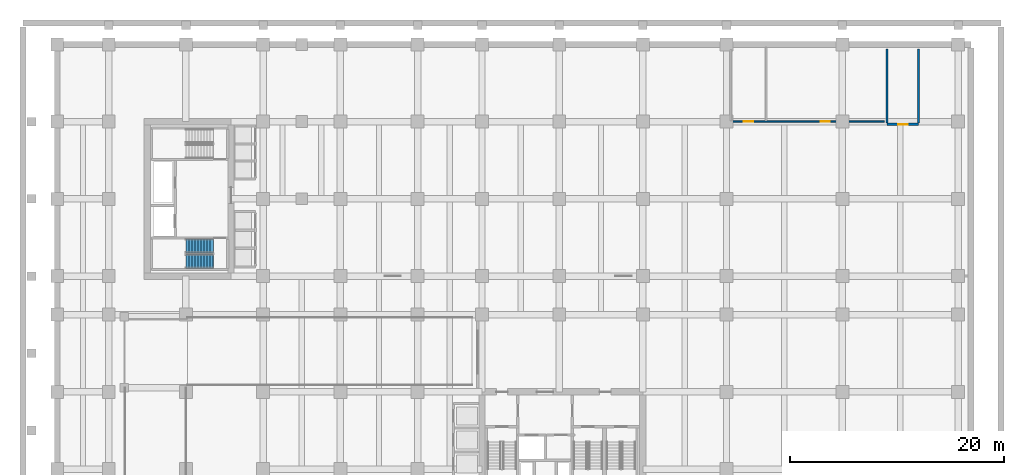
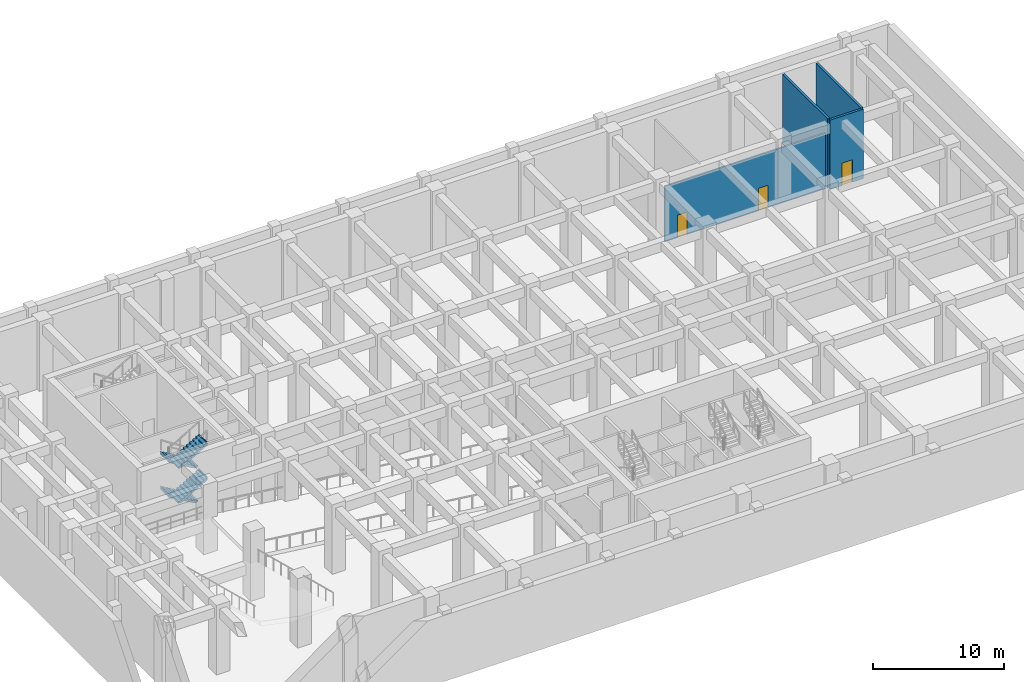
# One storey, part 8 of 13: 4 stair flights, 4 walls, 3 doors, 3 openings, 1 element without a shape of its own.
"""IFC4 building model written with IfcOpenShell, lengths in metres."""

from ifc_helpers import new_model, si_unit, derived_unit, direction, frame, frame_2d, origin, place, context, subcontext, project, spatial, polyline, rectangle, outline, extrude, source, transform, mapped, material, layer, layer_set, type_object, type_shapes, element, fill, aggregate, save


model = new_model("IFC4")

# Units and contexts
model_context = context("Model", 3, precision=1e-05, world=origin(), true_north=direction((0.0, 1.0)))
body_context = subcontext(model_context, "Body", "Model", "MODEL_VIEW")
ifc_project = project(units=[si_unit("LENGTHUNIT", "METRE"), si_unit("AREAUNIT", "SQUARE_METRE"), si_unit("VOLUMEUNIT", "CUBIC_METRE"), si_unit("PLANEANGLEUNIT", "RADIAN"), si_unit("MASSUNIT", "GRAM", prefix="KILO"), si_unit("THERMODYNAMICTEMPERATUREUNIT", "KELVIN"), si_unit("POWERUNIT", "WATT"), derived_unit("THERMALTRANSMITTANCEUNIT", [(si_unit("POWERUNIT", "WATT"), 1), (si_unit("AREAUNIT", "SQUARE_METRE"), -1), (si_unit("THERMODYNAMICTEMPERATUREUNIT", "KELVIN"), -1)])], contexts=[model_context])

# Site, building, storey
site_placement = place(None, origin())
site = spatial("IfcSite", under=ifc_project, at=site_placement, CompositionType="ELEMENT")
building_placement = place(site_placement, origin())
building = spatial("IfcBuilding", under=site, at=building_placement, Name="Zahravan Archway Hotel and Residences", CompositionType="ELEMENT")
storey_placement = place(building_placement, frame((0.0, 0.0, -6.5)))
storey = spatial("IfcBuildingStorey", under=building, at=storey_placement, Name="B01", CompositionType="ELEMENT", Elevation=-6.5)

# Wall, openings, doors
ifc_material_1 = material(Name="Moisture-Resistant Blockwork", Category="masonry")
ifc_layer_1 = layer(ifc_material_1, 0.139892578125, Name="Moisture-Resistant Blockwork", Category="masonry")
ifc_layer_set_1 = layer_set([ifc_layer_1], Name="Moisture-Resistant Blockwork")
wall_type_1 = type_object("IfcWallType", Name="PW-WET-140", PredefinedType="PARTITIONING", material=ifc_layer_set_1)
wall_1_placement = place(storey_placement, frame((58.090087890625, 39.60009765625, 0.0), z_axis=(0.0, 0.0, 1.0), x_axis=(1.0, 0.0, 0.0)))
wall_1 = element("IfcWall", 1, at=wall_1_placement, inside=storey, type_object=wall_type_1, Name="B01 Partition B1-WC", PredefinedType="PARTITIONING", context=body_context, shape_type="SweptSolid", body=[
    extrude(rectangle(XDim=14.219970703125, YDim=0.139892578125, at=frame_2d((7.10986328125, 0.0))), origin(), (0.0, 0.0, 1.0), 5.18505859375),
])
opening_1_placement = place(wall_1_placement, frame((1.135009765625, 0.0, 0.0)))
opening_1 = element("IfcOpeningElement", 2, at=opening_1_placement, cuts=wall_1, Name="Opening D-B1", PredefinedType="OPENING", context=body_context, shape_type="SweptSolid", body=[
    extrude(rectangle(XDim=0.85009765625, YDim=2.10009765625, at=frame_2d((0.425048828125, 1.050048828125))), frame((0.0, 0.080078125, 0.0), z_axis=(0.0, -1.0, 0.0), x_axis=(1.0, 0.0, 0.0)), (0.0, 0.0, 1.0), 0.159912109375),
])
opening_2_placement = place(wall_1_placement, frame((8.284912109375, 0.0, 0.0)))
opening_2 = element("IfcOpeningElement", 3, at=opening_2_placement, cuts=wall_1, Name="Opening D-B1", PredefinedType="OPENING", context=body_context, shape_type="SweptSolid", body=[
    extrude(rectangle(XDim=0.85009765625, YDim=2.10009765625, at=frame_2d((0.425048828125, 1.050048828125))), frame((0.0, 0.080078125, 0.0), z_axis=(0.0, -1.0, 0.0), x_axis=(1.0, 0.0, 0.0)), (0.0, 0.0, 1.0), 0.159912109375),
])
ifc_material_2 = material(Name="Hardwood Veneer Timber", Category="wood")
door_type_1 = type_object("IfcDoorType", Name="ID-BATH-850", OperationType="NOTDEFINED", PredefinedType="DOOR", material=ifc_material_2)
shared_shape_1 = source(origin(), body_context, "Body", "SweptSolid", [
    extrude(rectangle(XDim=0.85009765625, YDim=2.10009765625, at=frame_2d((0.425048828125, 1.050048828125))), frame((0.0, 0.02490234375, 0.0), z_axis=(0.0, -1.0, 0.0), x_axis=(1.0, 0.0, 0.0)), (0.0, 0.0, 1.0), 0.050048828125),
])
type_shapes(door_type_1, [shared_shape_1])
door_1_placement = place(opening_1_placement, origin())
door_1 = element("IfcDoor", 4, at=door_1_placement, inside=storey, type_object=door_type_1, Name="B01 Accessible WC Door", OperationType="SINGLE_SWING_RIGHT", OverallHeight=2.10009765625, OverallWidth=0.85009765625, PredefinedType="DOOR", context=body_context, shape_type="MappedRepresentation", body=[
    mapped(shared_shape_1, transform((0.0, 0.0, 0.0), scale=1.0)),
])
fill(opening_1, door_1)
door_2_placement = place(opening_2_placement, origin())
door_2 = element("IfcDoor", 5, at=door_2_placement, inside=storey, type_object=door_type_1, Name="B01 Public Restrooms Door", OperationType="SINGLE_SWING_LEFT", OverallHeight=2.10009765625, OverallWidth=0.85009765625, PredefinedType="DOOR", context=body_context, shape_type="MappedRepresentation", body=[
    mapped(shared_shape_1, transform((0.0, 0.0, 0.0), scale=1.0)),
])
fill(opening_2, door_2)

# Walls
ifc_material_3 = material(Name="Concrete C50/60", Category="concrete")
ifc_layer_2 = layer(ifc_material_3, 0.199951171875, Name="Concrete C50/60", Category="concrete")
ifc_layer_set_2 = layer_set([ifc_layer_2], Name="Concrete C50/60")
wall_type_2 = type_object("IfcWallType", Name="SW-STAIR-200", PredefinedType="SHEAR", material=ifc_layer_set_2)
for number, where, z_axis, x_axis, name in (
    (6, (72.56005859375, 39.469970703125, 0.0), (0.0, 0.0, 1.0), (0.0, 1.0, 0.0), "B01 Stairwell RC Wall SP1-W"),
    (7, (75.5, 39.469970703125, 0.0), (0.0, 0.0, 1.0), (0.0, 1.0, 0.0), "B01 Stairwell RC Wall SP1-E"),
):
    element("IfcWall", number, at=place(storey_placement, frame(where, z_axis=z_axis, x_axis=x_axis)), inside=storey, type_object=wall_type_2, Name=name, PredefinedType="SHEAR", context=body_context, shape_type="SweptSolid", body=[
        extrude(rectangle(XDim=6.909912109375, YDim=0.199951171875, at=frame_2d((3.455078125, 0.0))), origin(), (0.0, 0.0, 1.0), 6.5),
    ])

# Wall, opening, door
wall_2_placement = place(storey_placement, frame((72.56005859375, 39.35009765625, 0.0), z_axis=(0.0, 0.0, 1.0), x_axis=(1.0, 0.0, 0.0)))
wall_2 = element("IfcWall", 8, at=wall_2_placement, inside=storey, type_object=wall_type_2, Name="B01 Stairwell RC Wall SP1-S", PredefinedType="SHEAR", context=body_context, shape_type="SweptSolid", body=[
    extrude(rectangle(XDim=2.93994140625, YDim=0.199951171875, at=frame_2d((1.469970703125, 0.0))), origin(), (0.0, 0.0, 1.0), 6.5),
])
opening_3_placement = place(wall_2_placement, frame((1.06005859375, 0.0, 0.0)))
opening_3 = element("IfcOpeningElement", 9, at=opening_3_placement, cuts=wall_2, Name="Opening FD-R1", PredefinedType="OPENING", context=body_context, shape_type="SweptSolid", body=[
    extrude(rectangle(XDim=0.89990234375, YDim=2.10009765625, at=frame_2d((0.449951171875, 1.050048828125))), frame((0.0, 0.10986328125, 0.0), z_axis=(0.0, -1.0, 0.0), x_axis=(1.0, 0.0, 0.0)), (0.0, 0.0, 1.0), 0.219970703125),
])
ifc_material_4 = material(Name="Fire-Rated Painted Steel", Category="steel")
door_type_2 = type_object("IfcDoorType", Name="FD-RISER-900", OperationType="NOTDEFINED", PredefinedType="DOOR", material=ifc_material_4)
shared_shape_2 = source(origin(), body_context, "Body", "SweptSolid", [
    extrude(rectangle(XDim=0.89990234375, YDim=2.10009765625, at=frame_2d((0.449951171875, 1.050048828125))), frame((0.0, 0.02490234375, 0.0), z_axis=(0.0, -1.0, 0.0), x_axis=(1.0, 0.0, 0.0)), (0.0, 0.0, 1.0), 0.050048828125),
])
type_shapes(door_type_2, [shared_shape_2])
door_3_placement = place(opening_3_placement, origin())
door_3 = element("IfcDoor", 10, at=door_3_placement, inside=storey, type_object=door_type_2, Name="B01 Sub-Stair Service Vault Door", OperationType="SINGLE_SWING_RIGHT", OverallHeight=2.10009765625, OverallWidth=0.89990234375, PredefinedType="DOOR", context=body_context, shape_type="MappedRepresentation", body=[
    mapped(shared_shape_2, transform((0.0, 0.0, 0.0), scale=1.0)),
])
fill(opening_3, door_3)

# Stair, stair flights
stair_type = type_object("IfcStairType", Name="STR-CORE-1300", PredefinedType="HALF_TURN_STAIR", material=ifc_material_3)
stair_placement = place(storey_placement, origin())
stair = element("IfcStair", 11, at=stair_placement, inside=storey, type_object=stair_type, Name="B01 Core B Exit Stair 1", PredefinedType="HALF_TURN_STAIR")
ifc_layer_3 = layer(ifc_material_3, 0.199951171875, Name="Concrete C50/60", Category="concrete")
ifc_layer_set_3 = layer_set([ifc_layer_3], Name="Concrete C50/60")
stair_flight_type = type_object("IfcStairFlightType", Name="SFL-CORE-1300", PredefinedType="STRAIGHT", material=ifc_layer_set_3)
shared_shape_3 = source(origin(), body_context, "Body", "SweptSolid", [
    extrude(outline(polyline([(-0.01611328125, 0.0), (-0.01611328125, 0.16259765625), (0.280029296875, 0.16259765625), (0.280029296875, 0.324951171875), (0.56005859375, 0.324951171875), (0.56005859375, 0.487548828125), (0.840087890625, 0.487548828125), (0.840087890625, 0.64990234375), (1.1201171875, 0.64990234375), (1.1201171875, 0.8125), (1.39990234375, 0.8125), (1.39990234375, 0.97509765625), (1.679931640625, 0.97509765625), (1.679931640625, 1.137451171875), (1.9599609375, 1.137451171875), (1.9599609375, 1.300048828125), (2.239990234375, 1.300048828125), (2.239990234375, 1.46240234375), (2.52001953125, 1.46240234375), (2.52001953125, 1.625), (2.5361328125, 1.625), (2.5361328125, 1.2890625), (0.298583984375, 0.0), (-0.01611328125, 0.0)])), frame((0.0, 0.64990234375, 0.0), z_axis=(0.0, -1.0, 0.0), x_axis=(1.0, 0.0, 0.0)), (0.0, 0.0, 1.0), 1.300048828125),
])
type_shapes(stair_flight_type, [shared_shape_3])
stair_flight_1_placement = place(storey_placement, frame((9.72998046875, 27.989990234375, 0.0), z_axis=(0.0, 0.0, 1.0), x_axis=(-1.0, 0.0, 0.0)))
stair_flight_1 = element("IfcStairFlight", 12, at=stair_flight_1_placement, type_object=stair_flight_type, Name="ST-B1 flight 1", NumberOfRisers=10, NumberOfTreads=9, PredefinedType="STRAIGHT", RiserHeight=0.1625, TreadLength=0.28, context=body_context, shape_type="MappedRepresentation", body=[
    mapped(shared_shape_3, transform((0.0, 0.0, 0.0), scale=1.0)),
])
stair_flight_2_placement = place(storey_placement, frame((7.2099609375, 26.550048828125, 1.625), z_axis=(0.0, 0.0, 1.0), x_axis=(1.0, 0.0, 0.0)))
stair_flight_2 = element("IfcStairFlight", 13, at=stair_flight_2_placement, type_object=stair_flight_type, Name="ST-B1 flight 2", NumberOfRisers=10, NumberOfTreads=9, PredefinedType="STRAIGHT", RiserHeight=0.1625, TreadLength=0.28, context=body_context, shape_type="MappedRepresentation", body=[
    mapped(shared_shape_3, transform((0.0, 0.0, 0.0), scale=1.0)),
])
stair_flight_3_placement = place(storey_placement, frame((9.72998046875, 27.989990234375, 3.25), z_axis=(0.0, 0.0, 1.0), x_axis=(-1.0, 0.0, 0.0)))
stair_flight_3 = element("IfcStairFlight", 14, at=stair_flight_3_placement, type_object=stair_flight_type, Name="ST-B1 flight 3", NumberOfRisers=10, NumberOfTreads=9, PredefinedType="STRAIGHT", RiserHeight=0.1625, TreadLength=0.28, context=body_context, shape_type="MappedRepresentation", body=[
    mapped(shared_shape_3, transform((0.0, 0.0, 0.0), scale=1.0)),
])
stair_flight_4_placement = place(storey_placement, frame((7.2099609375, 26.550048828125, 4.875), z_axis=(0.0, 0.0, 1.0), x_axis=(1.0, 0.0, 0.0)))
stair_flight_4 = element("IfcStairFlight", 15, at=stair_flight_4_placement, type_object=stair_flight_type, Name="ST-B1 flight 4", NumberOfRisers=10, NumberOfTreads=9, PredefinedType="STRAIGHT", RiserHeight=0.1625, TreadLength=0.28, context=body_context, shape_type="MappedRepresentation", body=[
    mapped(shared_shape_3, transform((0.0, 0.0, 0.0), scale=1.0)),
])
aggregate(stair, [stair_flight_1, stair_flight_2, stair_flight_3, stair_flight_4])

save(model, "model.ifc")
